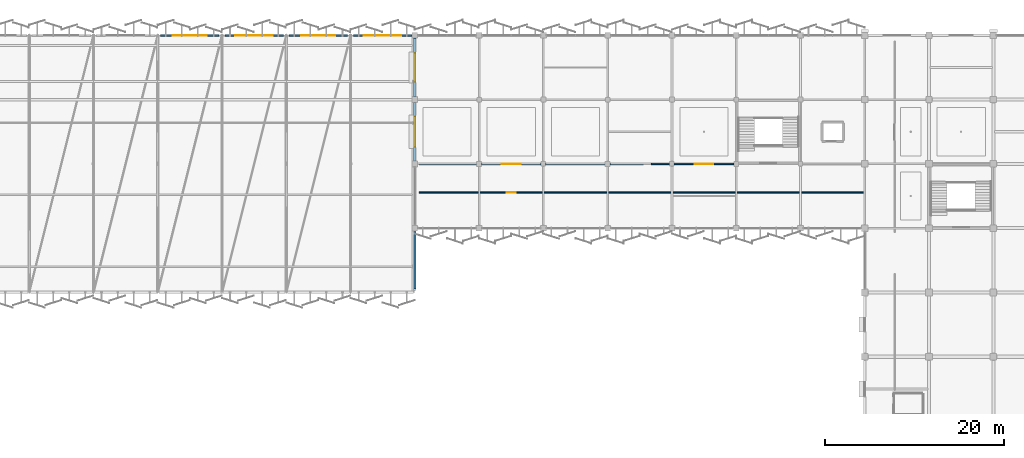
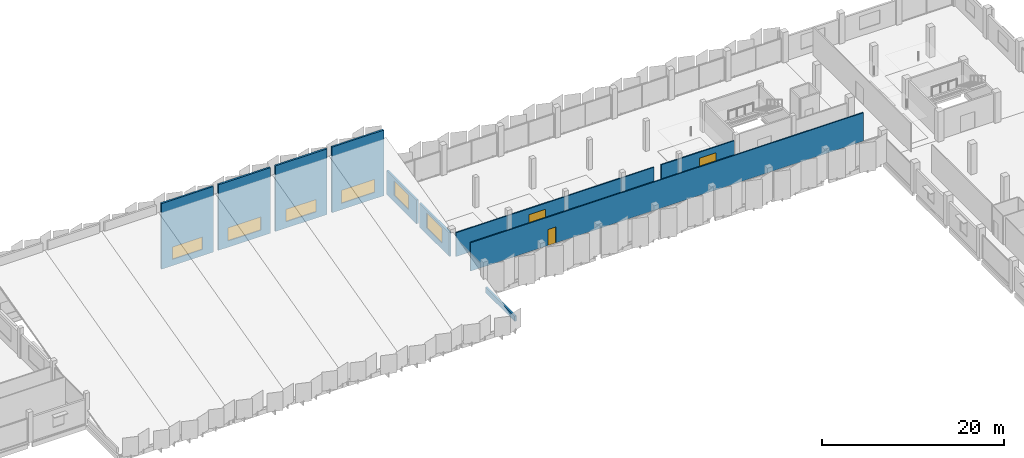
# One storey, part 84 of 108: 10 walls, 6 windows, 3 doors, 9 openings.
"""IFC4 building model written with IfcOpenShell, lengths in metres."""

from ifc_helpers import new_model, si_unit, direction, frame, frame_2d, origin, place, context, subcontext, project, spatial, rectangle, extrude, material, layer, layer_set, type_object, element, fill, save


model = new_model("IFC4")

# Units and contexts
model_context = context("Model", 3, precision=1e-05, world=origin(), true_north=direction((0.0, 1.0)))
body_context = subcontext(model_context, "Body", "Model", "MODEL_VIEW")
ifc_project = project(units=[si_unit("LENGTHUNIT", "METRE"), si_unit("AREAUNIT", "SQUARE_METRE"), si_unit("VOLUMEUNIT", "CUBIC_METRE"), si_unit("PLANEANGLEUNIT", "RADIAN"), si_unit("MASSUNIT", "GRAM", prefix="KILO")], contexts=[model_context])

# Site, building, storey
site_placement = place(None, origin())
site = spatial("IfcSite", under=ifc_project, at=site_placement, CompositionType="ELEMENT")
building_placement = place(site_placement, origin())
building = spatial("IfcBuilding", under=site, at=building_placement, Name="Kangsadwip Square Police Headquarters", CompositionType="ELEMENT")
storey_placement = place(building_placement, frame((0.0, 0.0, 9.449951171875)))
storey = spatial("IfcBuildingStorey", under=building, at=storey_placement, Name="L02", CompositionType="ELEMENT", Elevation=9.449951171875)

# Wall, opening, door
ifc_material_1 = material(Name="Autoclaved aerated concrete blockwork masonry", Category="masonry")
ifc_layer_1 = layer(ifc_material_1, 0.14990234375)
ifc_layer_set_1 = layer_set([ifc_layer_1], Name="Autoclaved aerated concrete blockwork masonry")
wall_type_1 = type_object("IfcWallType", Name="BlockPartition150", PredefinedType="PARTITIONING", material=ifc_layer_set_1)
wall_1_placement = place(storey_placement, frame((94.10009765625, 100.800048828125, 0.0), z_axis=(0.0, 0.0, 1.0), x_axis=(1.0, 0.0, 0.0)))
wall_1 = element("IfcWall", 1, at=wall_1_placement, inside=storey, type_object=wall_type_1, Name="Interior Wall WI-L02-0774", PredefinedType="PARTITIONING", context=body_context, shape_type="SweptSolid", body=[
    extrude(rectangle(XDim=25.099853515625, YDim=0.14990234375, at=frame_2d((12.5498046875, 0.0))), origin(), (0.0, 0.0, 1.0), 3.199951171875),
])
opening_1_placement = place(wall_1_placement, frame((9.25, 0.0, 0.0)))
opening_1 = element("IfcOpeningElement", 2, at=opening_1_placement, cuts=wall_1, Name="Opening ID-21", PredefinedType="OPENING", context=body_context, shape_type="SweptSolid", body=[
    extrude(rectangle(XDim=2.10009765625, YDim=2.39990234375, at=frame_2d((1.050048828125, 1.199951171875))), frame((0.0, 0.0849609375, 0.0), z_axis=(0.0, -1.0, 0.0), x_axis=(1.0, 0.0, 0.0)), (0.0, 0.0, 1.0), 0.169921875),
])
ifc_material_2 = material(Name="Solid-core seasoned teak hardwood architectural door", Category="wood")
door_type_1 = type_object("IfcDoorType", Name="HallDoubleDoor2100x2400", OperationType="DOUBLE_DOOR_SINGLE_SWING", PredefinedType="DOOR", material=ifc_material_2)
door_1_placement = place(opening_1_placement, origin())
door_1 = element("IfcDoor", 3, at=door_1_placement, inside=storey, type_object=door_type_1, Name="Interior Door ID-L02-0187", OperationType="DOUBLE_DOOR_SINGLE_SWING", OverallHeight=2.39990234375, OverallWidth=2.10009765625, PredefinedType="DOOR", context=body_context, shape_type="SweptSolid", body=[
    extrude(rectangle(XDim=2.10009765625, YDim=2.39990234375, at=frame_2d((1.050048828125, 1.199951171875))), frame((0.0, 0.02490234375, 0.0), z_axis=(0.0, -1.0, 0.0), x_axis=(1.0, 0.0, 0.0)), (0.0, 0.0, 1.0), 0.050048828125),
])
fill(opening_1, door_1)

wall_2_placement = place(storey_placement, frame((120.10009765625, 100.800048828125, 0.0), z_axis=(0.0, 0.0, 1.0), x_axis=(1.0, 0.0, 0.0)))
wall_2 = element("IfcWall", 4, at=wall_2_placement, inside=storey, type_object=wall_type_1, Name="Interior Wall WI-L02-0775", PredefinedType="PARTITIONING", context=body_context, shape_type="SweptSolid", body=[
    extrude(rectangle(XDim=9.25, YDim=0.14990234375, at=frame_2d((4.625, 0.0))), origin(), (0.0, 0.0, 1.0), 3.199951171875),
])
opening_2_placement = place(wall_2_placement, frame((4.85400390625, 0.0, 0.0)))
opening_2 = element("IfcOpeningElement", 5, at=opening_2_placement, cuts=wall_2, Name="Opening ID-21", PredefinedType="OPENING", context=body_context, shape_type="SweptSolid", body=[
    extrude(rectangle(XDim=2.10009765625, YDim=2.39990234375, at=frame_2d((1.050048828125, 1.199951171875))), frame((0.0, 0.0849609375, 0.0), z_axis=(0.0, -1.0, 0.0), x_axis=(1.0, 0.0, 0.0)), (0.0, 0.0, 1.0), 0.169921875),
])
door_2_placement = place(opening_2_placement, origin())
door_2 = element("IfcDoor", 6, at=door_2_placement, inside=storey, type_object=door_type_1, Name="Interior Door ID-L02-0188", OperationType="DOUBLE_DOOR_SINGLE_SWING", OverallHeight=2.39990234375, OverallWidth=2.10009765625, PredefinedType="DOOR", context=body_context, shape_type="SweptSolid", body=[
    extrude(rectangle(XDim=2.10009765625, YDim=2.39990234375, at=frame_2d((1.050048828125, 1.199951171875))), frame((0.0, 0.02490234375, 0.0), z_axis=(0.0, -1.0, 0.0), x_axis=(1.0, 0.0, 0.0)), (0.0, 0.0, 1.0), 0.050048828125),
])
fill(opening_2, door_2)

wall_3_placement = place(storey_placement, frame((94.10009765625, 97.60009765625, 0.0), z_axis=(0.0, 0.0, 1.0), x_axis=(1.0, 0.0, 0.0)))
wall_3 = element("IfcWall", 7, at=wall_3_placement, inside=storey, type_object=wall_type_1, Name="Interior Wall WI-L02-0777", PredefinedType="PARTITIONING", context=body_context, shape_type="SweptSolid", body=[
    extrude(rectangle(XDim=49.75, YDim=0.14990234375, at=frame_2d((24.875, 0.0))), origin(), (0.0, 0.0, 1.0), 3.81005859375),
])
opening_3_placement = place(wall_3_placement, frame((9.7958984375, 0.0, 0.0)))
opening_3 = element("IfcOpeningElement", 8, at=opening_3_placement, cuts=wall_3, Name="Opening FD-10C", PredefinedType="OPENING", context=body_context, shape_type="SweptSolid", body=[
    extrude(rectangle(XDim=1.02001953125, YDim=2.14990234375, at=frame_2d((0.510009765625, 1.074951171875))), frame((0.0, 0.0849609375, 0.0), z_axis=(0.0, -1.0, 0.0), x_axis=(1.0, 0.0, 0.0)), (0.0, 0.0, 1.0), 0.169921875),
])
ifc_material_3 = material(Name="Insulated galvanized steel fire-rated door assembly", Category="steel")
door_type_2 = type_object("IfcDoorType", Name="LabSingleDoor1020x2150", OperationType="NOTDEFINED", PredefinedType="DOOR", material=ifc_material_3)
door_3_placement = place(opening_3_placement, origin())
door_3 = element("IfcDoor", 9, at=door_3_placement, inside=storey, type_object=door_type_2, Name="Interior Door ID-L02-0189", OperationType="SINGLE_SWING_RIGHT", OverallHeight=2.14990234375, OverallWidth=1.02001953125, PredefinedType="DOOR", context=body_context, shape_type="SweptSolid", body=[
    extrude(rectangle(XDim=1.02001953125, YDim=2.14990234375, at=frame_2d((0.510009765625, 1.074951171875))), frame((0.0, 0.02490234375, 0.0), z_axis=(0.0, -1.0, 0.0), x_axis=(1.0, 0.0, 0.0)), (0.0, 0.0, 1.0), 0.050048828125),
])
fill(opening_3, door_3)

# Wall, opening, window
ifc_material_4 = material(Name="Glazed architectural terracotta masonry rainscreen", Category="masonry")
ifc_layer_2 = layer(ifc_material_4, 0.25)
ifc_layer_set_2 = layer_set([ifc_layer_2], Name="Glazed architectural terracotta masonry rainscreen")
wall_type_2 = type_object("IfcWallType", Name="ChicagoTerracottaWall250", PredefinedType="SOLIDWALL", material=ifc_layer_set_2)
wall_4_placement = place(storey_placement, frame((93.60009765625, 101.1201171875, 0.0), z_axis=(0.0, 0.0, 1.0), x_axis=(0.0, 1.0, 0.0)))
wall_4 = element("IfcWall", 10, at=wall_4_placement, inside=storey, type_object=wall_type_2, Name="Exterior Wall WE-L02-340", PredefinedType="SOLIDWALL", context=body_context, shape_type="SweptSolid", body=[
    extrude(rectangle(XDim=6.559814453125, YDim=0.25, at=frame_2d((3.27978515625, 0.0))), origin(), (0.0, 0.0, 1.0), 3.195068359375),
])
opening_4_placement = place(wall_4_placement, frame((1.580078125, 0.0, 0.85009765625)))
opening_4 = element("IfcOpeningElement", 11, at=opening_4_placement, cuts=wall_4, Name="Opening WN-02", PredefinedType="OPENING", context=body_context, shape_type="SweptSolid", body=[
    extrude(rectangle(XDim=3.39990234375, YDim=2.0, at=frame_2d((1.699951171875, 1.0))), frame((0.0, 0.135009765625, 0.0), z_axis=(0.0, -1.0, 0.0), x_axis=(1.0, 0.0, 0.0)), (0.0, 0.0, 1.0), 0.27001953125),
])
ifc_material_5 = material(Name="Double-glazed solar-control low-E safety glass", Category="glass")
window_type_1 = type_object("IfcWindowType", Name="ChicagoTripartiteWin3400x2000", PartitioningType="TRIPLE_PANEL_HORIZONTAL", PredefinedType="WINDOW", material=ifc_material_5)
window_1_placement = place(opening_4_placement, origin())
window_1 = element("IfcWindow", 12, at=window_1_placement, inside=storey, type_object=window_type_1, Name="Window WN-L02-0193", OverallHeight=2.0, OverallWidth=3.39990234375, PartitioningType="SINGLE_PANEL", PredefinedType="WINDOW", context=body_context, shape_type="SweptSolid", body=[
    extrude(rectangle(XDim=3.39990234375, YDim=2.0, at=frame_2d((1.699951171875, 1.0))), frame((0.0, 0.030029296875, 0.0), z_axis=(0.0, -1.0, 0.0), x_axis=(1.0, 0.0, 0.0)), (0.0, 0.0, 1.0), 0.06005859375),
])
fill(opening_4, window_1)

wall_5_placement = place(storey_placement, frame((93.60009765625, 108.320068359375, 0.0), z_axis=(0.0, 0.0, 1.0), x_axis=(0.0, 1.0, 0.0)))
wall_5 = element("IfcWall", 13, at=wall_5_placement, inside=storey, type_object=wall_type_2, Name="Exterior Wall WE-L02-341", PredefinedType="SOLIDWALL", context=body_context, shape_type="SweptSolid", body=[
    extrude(rectangle(XDim=6.559814453125, YDim=0.25, at=frame_2d((3.27978515625, 0.0))), origin(), (0.0, 0.0, 1.0), 3.195068359375),
])
opening_5_placement = place(wall_5_placement, frame((1.679931640625, 0.0, 0.85009765625)))
opening_5 = element("IfcOpeningElement", 14, at=opening_5_placement, cuts=wall_5, Name="Opening WN-03", PredefinedType="OPENING", context=body_context, shape_type="SweptSolid", body=[
    extrude(rectangle(XDim=3.199951171875, YDim=1.949951171875, at=frame_2d((1.60009765625, 0.97509765625))), frame((0.0, 0.135009765625, 0.0), z_axis=(0.0, -1.0, 0.0), x_axis=(1.0, 0.0, 0.0)), (0.0, 0.0, 1.0), 0.27001953125),
])
ifc_material_6 = material(Name="Double-glazed solar-control low-E safety glass", Category="glass")
window_type_2 = type_object("IfcWindowType", Name="ChicagoTripartiteWin3200x1950", PartitioningType="TRIPLE_PANEL_HORIZONTAL", PredefinedType="WINDOW", material=ifc_material_6)
window_2_placement = place(opening_5_placement, origin())
window_2 = element("IfcWindow", 15, at=window_2_placement, inside=storey, type_object=window_type_2, Name="Window WN-L02-0194", OverallHeight=1.949951171875, OverallWidth=3.199951171875, PartitioningType="SINGLE_PANEL", PredefinedType="WINDOW", context=body_context, shape_type="SweptSolid", body=[
    extrude(rectangle(XDim=3.199951171875, YDim=1.949951171875, at=frame_2d((1.60009765625, 0.97509765625))), frame((0.0, 0.030029296875, 0.0), z_axis=(0.0, -1.0, 0.0), x_axis=(1.0, 0.0, 0.0)), (0.0, 0.0, 1.0), 0.06005859375),
])
fill(opening_5, window_2)

ifc_material_7 = material(Name="Autoclaved aerated blockwork with terracotta brick veneer", Category="masonry")
ifc_layer_3 = layer(ifc_material_7, 0.22998046875)
ifc_layer_set_3 = layer_set([ifc_layer_3], Name="Autoclaved aerated blockwork with terracotta brick veneer")
wall_type_3 = type_object("IfcWallType", Name="ClerestoryGableWall230", PredefinedType="SOLIDWALL", material=ifc_layer_set_3)
wall_6_placement = place(storey_placement, frame((65.1201171875, 115.199951171875, -0.239990234375), z_axis=(0.0, 0.0, 1.0), x_axis=(1.0, 0.0, 0.0)))
wall_6 = element("IfcWall", 16, at=wall_6_placement, inside=storey, type_object=wall_type_3, Name="Exterior Wall WE-L02-608", PredefinedType="SOLIDWALL", context=body_context, shape_type="SweptSolid", body=[
    extrude(rectangle(XDim=6.559814453125, YDim=0.22998046875, at=frame_2d((3.27978515625, 0.0))), origin(), (0.0, 0.0, 1.0), 8.7900390625),
])
opening_6_placement = place(wall_6_placement, frame((1.3798828125, 0.0, 0.85009765625)))
opening_6 = element("IfcOpeningElement", 17, at=opening_6_placement, cuts=wall_6, Name="Opening NL-02", PredefinedType="OPENING", context=body_context, shape_type="SweptSolid", body=[
    extrude(rectangle(XDim=3.800048828125, YDim=1.64990234375, at=frame_2d((1.89990234375, 0.824951171875))), frame((0.0, 0.125, 0.0), z_axis=(0.0, -1.0, 0.0), x_axis=(1.0, 0.0, 0.0)), (0.0, 0.0, 1.0), 0.25),
])
ifc_material_8 = material(Name="Double-glazed solar-control low-E safety glass", Category="glass")
window_type_3 = type_object("IfcWindowType", Name="SawtoothNorthLight3800x1650", PartitioningType="TRIPLE_PANEL_HORIZONTAL", PredefinedType="LIGHTDOME", material=ifc_material_8)
window_3_placement = place(opening_6_placement, origin())
window_3 = element("IfcWindow", 18, at=window_3_placement, inside=storey, type_object=window_type_3, Name="Window WN-L02-0456", OverallHeight=1.64990234375, OverallWidth=3.800048828125, PartitioningType="SINGLE_PANEL", PredefinedType="LIGHTDOME", context=body_context, shape_type="SweptSolid", body=[
    extrude(rectangle(XDim=3.800048828125, YDim=1.64990234375, at=frame_2d((1.89990234375, 0.824951171875))), frame((0.0, 0.030029296875, 0.0), z_axis=(0.0, -1.0, 0.0), x_axis=(1.0, 0.0, 0.0)), (0.0, 0.0, 1.0), 0.06005859375),
])
fill(opening_6, window_3)

wall_7_placement = place(storey_placement, frame((72.320068359375, 115.199951171875, -0.239990234375), z_axis=(0.0, 0.0, 1.0), x_axis=(1.0, 0.0, 0.0)))
wall_7 = element("IfcWall", 19, at=wall_7_placement, inside=storey, type_object=wall_type_3, Name="Exterior Wall WE-L02-609", PredefinedType="SOLIDWALL", context=body_context, shape_type="SweptSolid", body=[
    extrude(rectangle(XDim=6.559814453125, YDim=0.22998046875, at=frame_2d((3.27978515625, 0.0))), origin(), (0.0, 0.0, 1.0), 8.7900390625),
])
opening_7_placement = place(wall_7_placement, frame((1.179931640625, 0.0, 0.85009765625)))
opening_7 = element("IfcOpeningElement", 20, at=opening_7_placement, cuts=wall_7, Name="Opening NL-01", PredefinedType="OPENING", context=body_context, shape_type="SweptSolid", body=[
    extrude(rectangle(XDim=4.199951171875, YDim=1.75, at=frame_2d((2.10009765625, 0.875))), frame((0.0, 0.125, 0.0), z_axis=(0.0, -1.0, 0.0), x_axis=(1.0, 0.0, 0.0)), (0.0, 0.0, 1.0), 0.25),
])
ifc_material_9 = material(Name="Double-glazed solar-control low-E safety glass", Category="glass")
window_type_4 = type_object("IfcWindowType", Name="SawtoothNorthLight4200x1750", PartitioningType="TRIPLE_PANEL_HORIZONTAL", PredefinedType="LIGHTDOME", material=ifc_material_9)
window_4_placement = place(opening_7_placement, origin())
window_4 = element("IfcWindow", 21, at=window_4_placement, inside=storey, type_object=window_type_4, Name="Window WN-L02-0457", OverallHeight=1.75, OverallWidth=4.199951171875, PartitioningType="SINGLE_PANEL", PredefinedType="LIGHTDOME", context=body_context, shape_type="SweptSolid", body=[
    extrude(rectangle(XDim=4.199951171875, YDim=1.75, at=frame_2d((2.10009765625, 0.875))), frame((0.0, 0.030029296875, 0.0), z_axis=(0.0, -1.0, 0.0), x_axis=(1.0, 0.0, 0.0)), (0.0, 0.0, 1.0), 0.06005859375),
])
fill(opening_7, window_4)

wall_8_placement = place(storey_placement, frame((79.52001953125, 115.199951171875, -0.239990234375), z_axis=(0.0, 0.0, 1.0), x_axis=(1.0, 0.0, 0.0)))
wall_8 = element("IfcWall", 22, at=wall_8_placement, inside=storey, type_object=wall_type_3, Name="Exterior Wall WE-L02-610", PredefinedType="SOLIDWALL", context=body_context, shape_type="SweptSolid", body=[
    extrude(rectangle(XDim=6.56005859375, YDim=0.22998046875, at=frame_2d((3.280029296875, 0.0))), origin(), (0.0, 0.0, 1.0), 8.7900390625),
])
opening_8_placement = place(wall_8_placement, frame((1.3798828125, 0.0, 0.85009765625)))
opening_8 = element("IfcOpeningElement", 23, at=opening_8_placement, cuts=wall_8, Name="Opening NL-02", PredefinedType="OPENING", context=body_context, shape_type="SweptSolid", body=[
    extrude(rectangle(XDim=3.800048828125, YDim=1.64990234375, at=frame_2d((1.89990234375, 0.824951171875))), frame((0.0, 0.125, 0.0), z_axis=(0.0, -1.0, 0.0), x_axis=(1.0, 0.0, 0.0)), (0.0, 0.0, 1.0), 0.25),
])
window_5_placement = place(opening_8_placement, origin())
window_5 = element("IfcWindow", 24, at=window_5_placement, inside=storey, type_object=window_type_3, Name="Window WN-L02-0458", OverallHeight=1.64990234375, OverallWidth=3.800048828125, PartitioningType="SINGLE_PANEL", PredefinedType="LIGHTDOME", context=body_context, shape_type="SweptSolid", body=[
    extrude(rectangle(XDim=3.800048828125, YDim=1.64990234375, at=frame_2d((1.89990234375, 0.824951171875))), frame((0.0, 0.030029296875, 0.0), z_axis=(0.0, -1.0, 0.0), x_axis=(1.0, 0.0, 0.0)), (0.0, 0.0, 1.0), 0.06005859375),
])
fill(opening_8, window_5)

wall_9_placement = place(storey_placement, frame((86.719970703125, 115.199951171875, -0.239990234375), z_axis=(0.0, 0.0, 1.0), x_axis=(1.0, 0.0, 0.0)))
wall_9 = element("IfcWall", 25, at=wall_9_placement, inside=storey, type_object=wall_type_3, Name="Exterior Wall WE-L02-611", PredefinedType="SOLIDWALL", context=body_context, shape_type="SweptSolid", body=[
    extrude(rectangle(XDim=6.56005859375, YDim=0.22998046875, at=frame_2d((3.280029296875, 0.0))), origin(), (0.0, 0.0, 1.0), 8.7900390625),
])
opening_9_placement = place(wall_9_placement, frame((1.179931640625, 0.0, 0.85009765625)))
opening_9 = element("IfcOpeningElement", 26, at=opening_9_placement, cuts=wall_9, Name="Opening NL-01", PredefinedType="OPENING", context=body_context, shape_type="SweptSolid", body=[
    extrude(rectangle(XDim=4.199951171875, YDim=1.75, at=frame_2d((2.10009765625, 0.875))), frame((0.0, 0.125, 0.0), z_axis=(0.0, -1.0, 0.0), x_axis=(1.0, 0.0, 0.0)), (0.0, 0.0, 1.0), 0.25),
])
window_6_placement = place(opening_9_placement, origin())
window_6 = element("IfcWindow", 27, at=window_6_placement, inside=storey, type_object=window_type_4, Name="Window WN-L02-0459", OverallHeight=1.75, OverallWidth=4.199951171875, PartitioningType="SINGLE_PANEL", PredefinedType="LIGHTDOME", context=body_context, shape_type="SweptSolid", body=[
    extrude(rectangle(XDim=4.199951171875, YDim=1.75, at=frame_2d((2.10009765625, 0.875))), frame((0.0, 0.030029296875, 0.0), z_axis=(0.0, -1.0, 0.0), x_axis=(1.0, 0.0, 0.0)), (0.0, 0.0, 1.0), 0.06005859375),
])
fill(opening_9, window_6)

# Wall
wall_10_placement = place(storey_placement, frame((93.60009765625, 86.780029296875, 0.0), z_axis=(0.0, 0.0, 1.0), x_axis=(0.0, 1.0, 0.0)))
element("IfcWall", 28, at=wall_10_placement, inside=storey, type_object=wall_type_3, Name="Exterior Wall WE-L02-613", PredefinedType="SOLIDWALL", context=body_context, shape_type="SweptSolid", body=[
    extrude(rectangle(XDim=6.43994140625, YDim=0.22998046875, at=frame_2d((3.219970703125, 0.0))), origin(), (0.0, 0.0, 1.0), 0.705078125),
])

save(model, "model.ifc")
